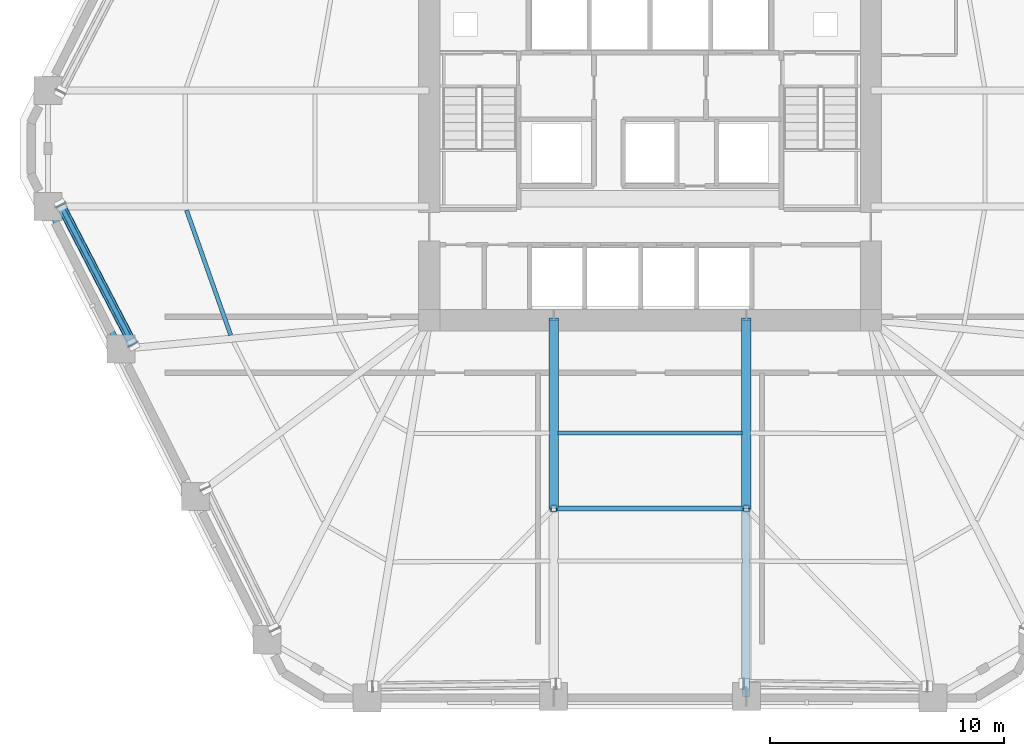
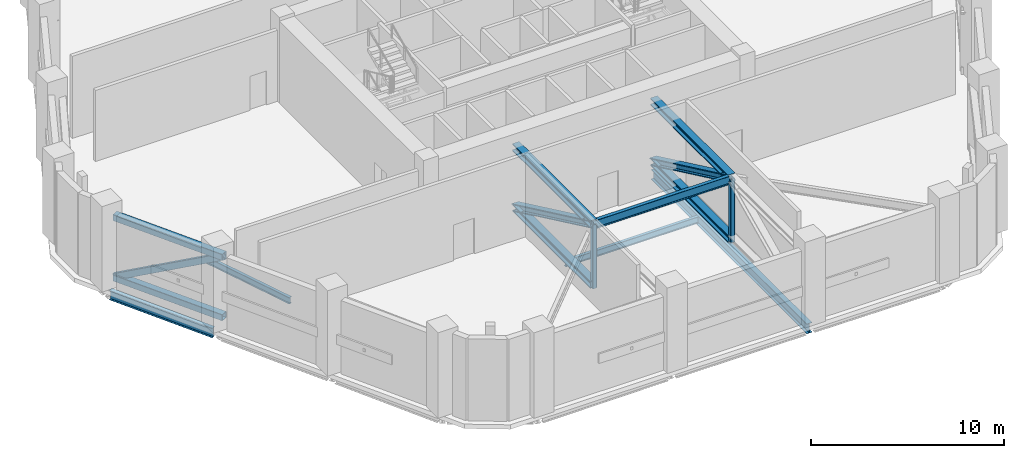
# One storey, part 2 of 19: 11 members, 5 beams.
"""IFC4 building model written with IfcOpenShell, lengths in metres."""

from ifc_helpers import new_model, si_unit, direction, frame, origin, origin_2d, place, context, subcontext, project, spatial, hollow_rectangle, i_section, extrude, material, material_profile, profile_set, type_object, element, save


model = new_model("IFC4")

# Units and contexts
model_context = context("Model", 3, precision=1e-05, world=origin(), true_north=direction((0.0, 1.0)))
body_context = subcontext(model_context, "Body", "Model", "MODEL_VIEW")
ifc_project = project(units=[si_unit("LENGTHUNIT", "METRE"), si_unit("AREAUNIT", "SQUARE_METRE"), si_unit("VOLUMEUNIT", "CUBIC_METRE"), si_unit("PLANEANGLEUNIT", "RADIAN"), si_unit("MASSUNIT", "GRAM", prefix="KILO")], contexts=[model_context])

# Site, building, storey
site_placement = place(None, origin())
site = spatial("IfcSite", under=ifc_project, at=site_placement, CompositionType="ELEMENT")
building_placement = place(site_placement, origin())
building = spatial("IfcBuilding", under=site, at=building_placement, Name="Cinnabar Lancet Tower", CompositionType="ELEMENT")
storey_placement = place(building_placement, frame((0.0, 0.0, 74.60009765625)))
storey = spatial("IfcBuildingStorey", under=building, at=storey_placement, Name="L19", CompositionType="ELEMENT", Elevation=74.60009765625)

# Beams
ifc_material_1 = material(Name="Structural steel S355", Category="steel")
ifc_material_profile_1 = material_profile(ifc_material_1, i_section(OverallWidth=0.177978515625, OverallDepth=0.406494140625, WebThickness=0.0078125, FlangeThickness=0.0126953125, FilletRadius=0.01025390625, at=origin_2d()), Name="UKB 406x178x60")
ifc_profile_set_1 = profile_set([ifc_material_profile_1], Name="Structural steel S355")
beam_type_1 = type_object("IfcBeamType", Name="STR-BM-JST-406", PredefinedType="JOIST", material=ifc_profile_set_1)
beam_1_placement = place(storey_placement, frame((12.56103515625, 23.159912109375, -0.483154296875), z_axis=(0.333349133153, -0.942803455353, 0.0), x_axis=(0.942803455353, 0.333349133153, 0.0)))
element("IfcBeam", 1, at=beam_1_placement, inside=storey, type_object=beam_type_1, Name="L19 Secondary Floor Joist 1", PredefinedType="JOIST", context=body_context, shape_type="SweptSolid", body=[
    extrude(i_section(OverallWidth=0.177978515625, OverallDepth=0.406494140625, WebThickness=0.0078125, FlangeThickness=0.0126953125, FilletRadius=0.01025390625, at=origin_2d()), origin(), (0.0, 0.0, 1.0), 5.67236328125),
])
beam_2_placement = place(storey_placement, frame((28.431884765625, 13.617919921875, -0.483154296875), z_axis=(1.0, 0.0, 0.0), x_axis=(0.0, 1.0, 0.0)))
element("IfcBeam", 2, at=beam_2_placement, inside=storey, type_object=beam_type_1, Name="L19 Secondary Floor Joist 12", PredefinedType="JOIST", context=body_context, shape_type="SweptSolid", body=[
    extrude(i_section(OverallWidth=0.177978515625, OverallDepth=0.406494140625, WebThickness=0.0078125, FlangeThickness=0.0126953125, FilletRadius=0.01025390625, at=origin_2d()), origin(), (0.0, 0.0, 1.0), 7.93603515625),
])
ifc_material_2 = material(Name="Structural steel S355", Category="steel")
ifc_material_profile_2 = material_profile(ifc_material_2, i_section(OverallWidth=0.228271484375, OverallDepth=0.607666015625, WebThickness=0.010986328125, FlangeThickness=0.017333984375, FilletRadius=0.0126953125, at=origin_2d()), Name="UKB 610x229x113")
ifc_profile_set_2 = profile_set([ifc_material_profile_2], Name="Structural steel S355")
beam_type_2 = type_object("IfcBeamType", Name="STR-BM-SPN-610", PredefinedType="SPANDREL", material=ifc_profile_set_2)
beam_3_placement = place(storey_placement, frame((6.74609375, 23.091064453125, -0.583984375), z_axis=(0.455994051912, -0.889982822655, 0.0), x_axis=(0.889982822655, 0.455994051912, 0.0)))
element("IfcBeam", 3, at=beam_3_placement, inside=storey, type_object=beam_type_2, Name="L19 Perimeter Spandrel 21", PredefinedType="SPANDREL", context=body_context, shape_type="SweptSolid", body=[
    extrude(i_section(OverallWidth=0.228271484375, OverallDepth=0.607666015625, WebThickness=0.010986328125, FlangeThickness=0.017333984375, FilletRadius=0.0126953125, at=origin_2d()), origin(), (0.0, 0.0, 1.0), 6.34619140625),
])
ifc_material_3 = material(Name="Structural steel S355", Category="steel")
ifc_material_profile_3 = material_profile(ifc_material_3, i_section(OverallWidth=0.209228515625, OverallDepth=0.533203125, WebThickness=0.010009765625, FlangeThickness=0.015625, FilletRadius=0.0126953125, at=origin_2d()), Name="UKB 533x210x92")
ifc_profile_set_3 = profile_set([ifc_material_profile_3], Name="Structural steel S355")
beam_type_3 = type_object("IfcBeamType", Name="STR-BM-UKB533-92", PredefinedType="BEAM", material=ifc_profile_set_3)
beam_4_placement = place(storey_placement, frame((28.278076171875, 10.39599609375, 3.98291015625), z_axis=(1.0, 0.0, 0.0), x_axis=(0.0, 1.0, 0.0)))
element("IfcBeam", 4, at=beam_4_placement, inside=storey, type_object=beam_type_3, Name="L19 Outrigger S Tie Beam 2", PredefinedType="BEAM", context=body_context, shape_type="SweptSolid", body=[
    extrude(i_section(OverallWidth=0.209228515625, OverallDepth=0.533203125, WebThickness=0.010009765625, FlangeThickness=0.015625, FilletRadius=0.0126953125, at=origin_2d()), origin(), (0.0, 0.0, 1.0), 8.243896484375),
])
ifc_material_4 = material(Name="Structural steel S355", Category="steel")
ifc_material_profile_4 = material_profile(ifc_material_4, i_section(OverallWidth=0.30712890625, OverallDepth=0.6201171875, WebThickness=0.01416015625, FlangeThickness=0.023681640625, FilletRadius=0.0166015625, at=origin_2d()), Name="UKB 610x305x179")
ifc_profile_set_4 = profile_set([ifc_material_profile_4], Name="Structural steel S355")
beam_type_4 = type_object("IfcBeamType", Name="STR-BM-UKB610-179", PredefinedType="BEAM", material=ifc_profile_set_4)
beam_5_placement = place(storey_placement, frame((36.52197265625, 2.342041015625, -0.590087890625), z_axis=(0.0, 1.0, 0.0), x_axis=(-1.0, 0.0, 0.0)))
element("IfcBeam", 5, at=beam_5_placement, inside=storey, type_object=beam_type_4, Name="L19 Primary Floor Girder 3", PredefinedType="BEAM", context=body_context, shape_type="SweptSolid", body=[
    extrude(i_section(OverallWidth=0.30712890625, OverallDepth=0.6201171875, WebThickness=0.01416015625, FlangeThickness=0.023681640625, FilletRadius=0.0166015625, at=origin_2d()), origin(), (0.0, 0.0, 1.0), 16.10791015625),
])

# Members
ifc_material_5 = material(Name="Structural steel S460", Category="steel")
ifc_material_profile_5 = material_profile(ifc_material_5, hollow_rectangle(XDim=0.199951171875, YDim=0.39990234375, WallThickness=0.01611328125, InnerFilletRadius=0.008056640625, OuterFilletRadius=0.02392578125, at=origin_2d()), Name="RHS 400x200x16")
ifc_profile_set_5 = profile_set([ifc_material_profile_5], Name="Structural steel S460")
member_type_1 = type_object("IfcMemberType", Name="STR-MEM-BT-BRC400", PredefinedType="BRACE", material=ifc_profile_set_5)
member_placement = place(storey_placement, frame((7.178955078125, 23.366943359375, 0.219970703125), z_axis=(0.400533735005, -0.771723063755, 0.493979999586), x_axis=(0.887575379342, 0.460662507684, 0.0)))
element("IfcMember", 6, at=member_placement, inside=storey, type_object=member_type_1, Name="L19 Belt Truss Face 6 Diagonal", PredefinedType="BRACE", context=body_context, shape_type="SweptSolid", body=[
    extrude(hollow_rectangle(XDim=0.199951171875, YDim=0.39990234375, WallThickness=0.01611328125, InnerFilletRadius=0.008056640625, OuterFilletRadius=0.02392578125, at=origin_2d()), origin(), (0.0, 0.0, 1.0), 7.71240234375),
])
ifc_material_6 = material(Name="Structural steel S460", Category="steel")
ifc_material_profile_6 = material_profile(ifc_material_6, hollow_rectangle(XDim=0.39990234375, YDim=0.39990234375, WallThickness=0.02001953125, InnerFilletRadius=0.010009765625, OuterFilletRadius=0.030029296875, at=origin_2d()), Name="SHS 400x400x20")
ifc_profile_set_6 = profile_set([ifc_material_profile_6], Name="Structural steel S460")
member_type_2 = type_object("IfcMemberType", Name="STR-MEM-BT-CHD400", PredefinedType="CHORD", material=ifc_profile_set_6)
for number, where, z_axis, x_axis, name in (
    (7, (7.178955078125, 23.366943359375, 0.219970703125), (0.460662507684, -0.887575379342, 0.0), (0.887575379342, 0.460662507684, 0.0), "L19 Belt Truss Face 6 Chord BC"),
    (8, (7.178955078125, 23.366943359375, 4.02978515625), (0.460662507684, -0.887575379342, 0.0), (0.887575379342, 0.460662507684, 0.0), "L19 Belt Truss Face 6 Chord TC"),
):
    element("IfcMember", number, at=place(storey_placement, frame(where, z_axis=z_axis, x_axis=x_axis)), inside=storey, type_object=member_type_2, Name=name, PredefinedType="CHORD", context=body_context, shape_type="SweptSolid", body=[
        extrude(hollow_rectangle(XDim=0.39990234375, YDim=0.39990234375, WallThickness=0.02001953125, InnerFilletRadius=0.010009765625, OuterFilletRadius=0.030029296875, at=origin_2d()), origin(), (0.0, 0.0, 1.0), 6.705810546875),
    ])
ifc_material_7 = material(Name="Structural steel S460", Category="steel")
ifc_material_profile_7 = material_profile(ifc_material_7, hollow_rectangle(XDim=0.25, YDim=0.25, WallThickness=0.012451171875, InnerFilletRadius=0.00634765625, OuterFilletRadius=0.018798828125, at=origin_2d()), Name="SHS 250x250x12.5")
ifc_profile_set_7 = profile_set([ifc_material_profile_7], Name="Structural steel S460")
member_type_3 = type_object("IfcMemberType", Name="STR-MEM-BT-PST250", PredefinedType="STRUT", material=ifc_profile_set_7)
for number, where, z_axis, x_axis, name in (
    (9, (28.278076171875, 10.39599609375, 0.0), (0.0, 0.0, 1.0), (1.0, 0.0, 0.0), "L19 Outrigger Truss 1 Web Strut"),
    (10, (36.52197265625, 10.39599609375, 0.0), (0.0, 0.0, 1.0), (1.0, 0.0, 0.0), "L19 Outrigger Truss 2 Web Strut"),
):
    element("IfcMember", number, at=place(storey_placement, frame(where, z_axis=z_axis, x_axis=x_axis)), inside=storey, type_object=member_type_3, Name=name, PredefinedType="STRUT", context=body_context, shape_type="SweptSolid", body=[
        extrude(hollow_rectangle(XDim=0.25, YDim=0.25, WallThickness=0.012451171875, InnerFilletRadius=0.00634765625, OuterFilletRadius=0.018798828125, at=origin_2d()), origin(), (0.0, 0.0, 1.0), 4.02978515625),
    ])
ifc_material_8 = material(Name="Structural steel S460", Category="steel")
ifc_material_profile_8 = material_profile(ifc_material_8, i_section(OverallWidth=0.406982421875, OverallDepth=0.4189453125, WebThickness=0.030517578125, FlangeThickness=0.04931640625, FilletRadius=0.01513671875, at=origin_2d()), Name="UKC 356x406x393")
ifc_profile_set_8 = profile_set([ifc_material_profile_8], Name="Structural steel S460")
member_type_4 = type_object("IfcMemberType", Name="STR-MEM-OT-BRC393", PredefinedType="BRACE", material=ifc_profile_set_8)
for number, where, z_axis, x_axis, name in (
    (11, (28.278076171875, 18.449951171875, 0.219970703125), (0.0, -0.903964243742, 0.427608051884), (1.0, 0.0, 0.0), "L19 Outrigger Truss 1 Diagonal 1"),
    (12, (36.52197265625, 18.449951171875, 0.219970703125), (0.0, -0.903964243742, 0.427608051884), (1.0, 0.0, 0.0), "L19 Outrigger Truss 2 Diagonal 1"),
):
    element("IfcMember", number, at=place(storey_placement, frame(where, z_axis=z_axis, x_axis=x_axis)), inside=storey, type_object=member_type_4, Name=name, PredefinedType="BRACE", context=body_context, shape_type="SweptSolid", body=[
        extrude(i_section(OverallWidth=0.406982421875, OverallDepth=0.4189453125, WebThickness=0.030517578125, FlangeThickness=0.04931640625, FilletRadius=0.01513671875, at=origin_2d()), origin(), (0.0, 0.0, 1.0), 8.90966796875),
    ])
ifc_material_9 = material(Name="Structural steel S460", Category="steel")
ifc_material_profile_9 = material_profile(ifc_material_9, i_section(OverallWidth=0.41796875, OverallDepth=0.455078125, WebThickness=0.0419921875, FlangeThickness=0.06201171875, FilletRadius=0.014892578125, at=origin_2d()), Name="HD 400x551")
ifc_profile_set_9 = profile_set([ifc_material_profile_9], Name="Structural steel S460")
member_type_5 = type_object("IfcMemberType", Name="STR-MEM-OT-CHD551", PredefinedType="CHORD", material=ifc_profile_set_9)
for number, where, z_axis, x_axis, name in (
    (13, (28.278076171875, 18.449951171875, 0.219970703125), (0.0, -1.0, 0.0), (1.0, 0.0, 0.0), "L19 Outrigger Truss 1 Chord BC1"),
    (14, (28.278076171875, 18.449951171875, 4.02978515625), (0.0, -1.0, 0.0), (1.0, 0.0, 0.0), "L19 Outrigger Truss 1 Chord TC1"),
    (15, (36.52197265625, 18.449951171875, 0.219970703125), (0.0, -1.0, 0.0), (1.0, 0.0, 0.0), "L19 Outrigger Truss 2 Chord BC1"),
    (16, (36.52197265625, 18.449951171875, 4.02978515625), (0.0, -1.0, 0.0), (1.0, 0.0, 0.0), "L19 Outrigger Truss 2 Chord TC1"),
):
    element("IfcMember", number, at=place(storey_placement, frame(where, z_axis=z_axis, x_axis=x_axis)), inside=storey, type_object=member_type_5, Name=name, PredefinedType="CHORD", context=body_context, shape_type="SweptSolid", body=[
        extrude(i_section(OverallWidth=0.41796875, OverallDepth=0.455078125, WebThickness=0.0419921875, FlangeThickness=0.06201171875, FilletRadius=0.014892578125, at=origin_2d()), origin(), (0.0, 0.0, 1.0), 8.053955078125),
    ])

save(model, "model.ifc")
